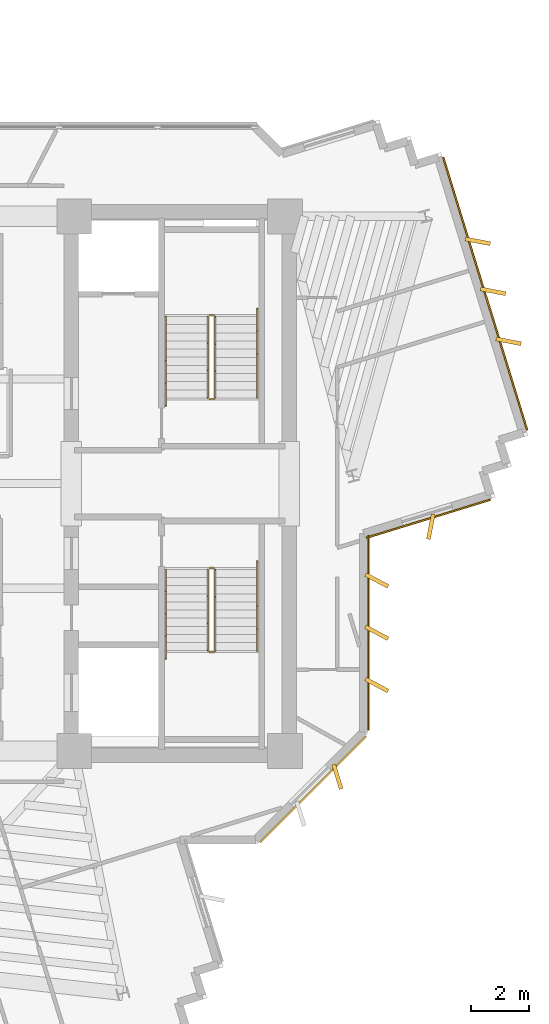
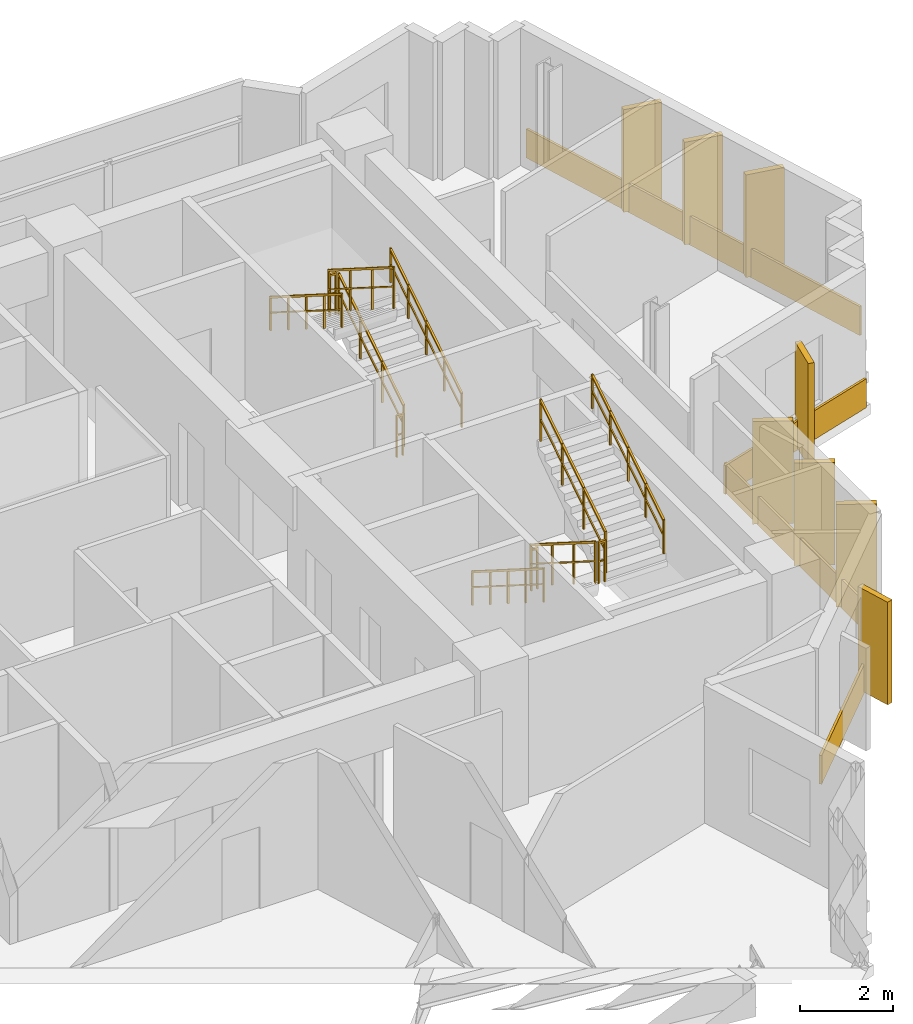
# One storey, part 12 of 13: 12 coverings, 12 railings.
"""IFC4 building model written with IfcOpenShell, lengths in metres."""

from ifc_helpers import new_model, si_unit, direction, frame, origin, origin_2d, place, context, subcontext, project, spatial, rectangle, extrude, source, transform, mapped, material, layer, layer_set, type_object, element, save


model = new_model("IFC4")

# Units and contexts
model_context = context("Model", 3, precision=1e-05, world=origin(), true_north=direction((0.0, 1.0)))
body_context = subcontext(model_context, "Body", "Model", "MODEL_VIEW")
ifc_project = project(units=[si_unit("LENGTHUNIT", "METRE"), si_unit("AREAUNIT", "SQUARE_METRE"), si_unit("VOLUMEUNIT", "CUBIC_METRE"), si_unit("PLANEANGLEUNIT", "RADIAN"), si_unit("MASSUNIT", "GRAM", prefix="KILO")], contexts=[model_context])

# Site, building, storey
site_placement = place(None, origin())
site = spatial("IfcSite", under=ifc_project, at=site_placement, CompositionType="ELEMENT")
building_placement = place(site_placement, origin())
building = spatial("IfcBuilding", under=site, at=building_placement, Name="Zahravan Cultural Tower", CompositionType="ELEMENT")
storey_placement = place(building_placement, frame((0.0, 0.0, 217.5)))
storey = spatial("IfcBuildingStorey", under=building, at=storey_placement, Name="L51", CompositionType="ELEMENT", Elevation=217.5)

# Railings
ifc_material_1 = material(Name="Steel ASTM A572 Grade 50", Category="steel")
railing_type_1 = type_object("IfcRailingType", Name="RL-STAIR-GRD1150", PredefinedType="BALUSTRADE", material=ifc_material_1)
railing_1_placement = place(storey_placement, frame((47.949951171875, 29.949951171875, 0.17724609375)))
element("IfcRailing", 1, at=railing_1_placement, inside=storey, type_object=railing_type_1, Name="L51 ST-E1 stair guard 1", PredefinedType="BALUSTRADE", context=body_context, shape_type="SweptSolid", body=[
    extrude(rectangle(XDim=0.05, YDim=0.05, at=origin_2d()), frame((0.0, 0.0, 1.0751953125), z_axis=(0.0, 0.844908973607, 0.534910110503), x_axis=(-1.0, 0.0, 0.0)), (0.0, 0.0, 1.0), 3.31396484375),
    extrude(rectangle(XDim=0.032, YDim=0.032, at=origin_2d()), frame((0.0, 0.0, 0.572021484375), z_axis=(0.0, 0.844908973607, 0.534910110503), x_axis=(-1.0, 0.0, 0.0)), (0.0, 0.0, 1.0), 3.31396484375),
    extrude(rectangle(XDim=0.04, YDim=0.04, at=origin_2d()), origin(), (0.0, 0.0, 1.0), 1.10009765625),
    extrude(rectangle(XDim=0.04, YDim=0.04, at=origin_2d()), frame((0.0, 0.933349609375, 0.5908203125)), (0.0, 0.0, 1.0), 1.10009765625),
    extrude(rectangle(XDim=0.04, YDim=0.04, at=origin_2d()), frame((0.0, 1.86669921875, 1.181884765625)), (0.0, 0.0, 1.0), 1.10009765625),
    extrude(rectangle(XDim=0.04, YDim=0.04, at=origin_2d()), frame((0.0, 2.800048828125, 1.772705078125)), (0.0, 0.0, 1.0), 1.10009765625),
])
railing_2_placement = place(storey_placement, frame((47.89990234375, 32.800048828125, 1.949951171875)))
element("IfcRailing", 2, at=railing_2_placement, inside=storey, type_object=railing_type_1, Name="L51 ST-E1 stair guard 2", PredefinedType="BALUSTRADE", context=body_context, shape_type="SweptSolid", body=[
    extrude(rectangle(XDim=0.05, YDim=0.05, at=origin_2d()), frame((0.0, 0.0, 1.0751953125), z_axis=(-1.0, 0.0, 0.0), x_axis=(0.0, -1.0, 0.0)), (0.0, 0.0, 1.0), 0.14990234375),
    extrude(rectangle(XDim=0.032, YDim=0.032, at=origin_2d()), frame((0.0, 0.0, 0.572021484375), z_axis=(-1.0, 0.0, 0.0), x_axis=(0.0, -1.0, 0.0)), (0.0, 0.0, 1.0), 0.14990234375),
    extrude(rectangle(XDim=0.04, YDim=0.04, at=origin_2d()), origin(), (0.0, 0.0, 1.0), 1.10009765625),
    extrude(rectangle(XDim=0.04, YDim=0.04, at=origin_2d()), frame((-0.14990234375, 0.0, 0.0)), (0.0, 0.0, 1.0), 1.10009765625),
])
railing_3_placement = place(storey_placement, frame((47.699951171875, 32.75, 2.127197265625)))
element("IfcRailing", 3, at=railing_3_placement, inside=storey, type_object=railing_type_1, Name="L51 ST-E1 stair guard 3", PredefinedType="BALUSTRADE", context=body_context, shape_type="SweptSolid", body=[
    extrude(rectangle(XDim=0.05, YDim=0.05, at=origin_2d()), frame((0.0, 0.0, 1.0751953125), z_axis=(0.0, -0.844908973607, 0.534910110503), x_axis=(1.0, 0.0, 0.0)), (0.0, 0.0, 1.0), 3.31396484375),
    extrude(rectangle(XDim=0.032, YDim=0.032, at=origin_2d()), frame((0.0, 0.0, 0.572021484375), z_axis=(0.0, -0.844908973607, 0.534910110503), x_axis=(1.0, 0.0, 0.0)), (0.0, 0.0, 1.0), 3.31396484375),
    extrude(rectangle(XDim=0.04, YDim=0.04, at=origin_2d()), origin(), (0.0, 0.0, 1.0), 1.10009765625),
    extrude(rectangle(XDim=0.04, YDim=0.04, at=origin_2d()), frame((0.0, -0.933349609375, 0.5908203125)), (0.0, 0.0, 1.0), 1.10009765625),
    extrude(rectangle(XDim=0.04, YDim=0.04, at=origin_2d()), frame((0.0, -1.86669921875, 1.181884765625)), (0.0, 0.0, 1.0), 1.10009765625),
    extrude(rectangle(XDim=0.04, YDim=0.04, at=origin_2d()), frame((0.0, -2.800048828125, 1.772705078125)), (0.0, 0.0, 1.0), 1.10009765625),
])
railing_4_placement = place(storey_placement, frame((47.89990234375, 29.89990234375, 0.0)))
element("IfcRailing", 4, at=railing_4_placement, inside=storey, type_object=railing_type_1, Name="L51 ST-E1 stair guard 4", PredefinedType="BALUSTRADE", context=body_context, shape_type="SweptSolid", body=[
    extrude(rectangle(XDim=0.05, YDim=0.05, at=origin_2d()), frame((0.0, 0.0, 1.0751953125), z_axis=(-1.0, 0.0, 0.0), x_axis=(0.0, -1.0, 0.0)), (0.0, 0.0, 1.0), 0.14990234375),
    extrude(rectangle(XDim=0.032, YDim=0.032, at=origin_2d()), frame((0.0, 0.0, 0.572021484375), z_axis=(-1.0, 0.0, 0.0), x_axis=(0.0, -1.0, 0.0)), (0.0, 0.0, 1.0), 0.14990234375),
    extrude(rectangle(XDim=0.04, YDim=0.04, at=origin_2d()), origin(), (0.0, 0.0, 1.0), 1.10009765625),
    extrude(rectangle(XDim=0.04, YDim=0.04, at=origin_2d()), frame((-0.14990234375, 0.0, 0.0)), (0.0, 0.0, 1.0), 1.10009765625),
])
railing_5_placement = place(storey_placement, frame((47.699951171875, 24.050048828125, 0.17724609375)))
element("IfcRailing", 5, at=railing_5_placement, inside=storey, type_object=railing_type_1, Name="L51 ST-E2 stair guard 1", PredefinedType="BALUSTRADE", context=body_context, shape_type="SweptSolid", body=[
    extrude(rectangle(XDim=0.05, YDim=0.05, at=origin_2d()), frame((0.0, 0.0, 1.0751953125), z_axis=(0.0, -0.844908973607, 0.534910110503), x_axis=(1.0, 0.0, 0.0)), (0.0, 0.0, 1.0), 3.31396484375),
    extrude(rectangle(XDim=0.032, YDim=0.032, at=origin_2d()), frame((0.0, 0.0, 0.572021484375), z_axis=(0.0, -0.844908973607, 0.534910110503), x_axis=(1.0, 0.0, 0.0)), (0.0, 0.0, 1.0), 3.31396484375),
    extrude(rectangle(XDim=0.04, YDim=0.04, at=origin_2d()), origin(), (0.0, 0.0, 1.0), 1.10009765625),
    extrude(rectangle(XDim=0.04, YDim=0.04, at=origin_2d()), frame((0.0, -0.933349609375, 0.5908203125)), (0.0, 0.0, 1.0), 1.10009765625),
    extrude(rectangle(XDim=0.04, YDim=0.04, at=origin_2d()), frame((0.0, -1.86669921875, 1.181884765625)), (0.0, 0.0, 1.0), 1.10009765625),
    extrude(rectangle(XDim=0.04, YDim=0.04, at=origin_2d()), frame((0.0, -2.800048828125, 1.772705078125)), (0.0, 0.0, 1.0), 1.10009765625),
])
railing_6_placement = place(storey_placement, frame((47.75, 21.199951171875, 1.949951171875)))
element("IfcRailing", 6, at=railing_6_placement, inside=storey, type_object=railing_type_1, Name="L51 ST-E2 stair guard 2", PredefinedType="BALUSTRADE", context=body_context, shape_type="SweptSolid", body=[
    extrude(rectangle(XDim=0.05, YDim=0.05, at=origin_2d()), frame((0.0, 0.0, 1.0751953125), z_axis=(1.0, 0.0, 0.0), x_axis=(0.0, 1.0, 0.0)), (0.0, 0.0, 1.0), 0.14990234375),
    extrude(rectangle(XDim=0.032, YDim=0.032, at=origin_2d()), frame((0.0, 0.0, 0.572021484375), z_axis=(1.0, 0.0, 0.0), x_axis=(0.0, 1.0, 0.0)), (0.0, 0.0, 1.0), 0.14990234375),
    extrude(rectangle(XDim=0.04, YDim=0.04, at=origin_2d()), origin(), (0.0, 0.0, 1.0), 1.10009765625),
    extrude(rectangle(XDim=0.04, YDim=0.04, at=origin_2d()), frame((0.14990234375, 0.0, 0.0)), (0.0, 0.0, 1.0), 1.10009765625),
])
railing_7_placement = place(storey_placement, frame((47.949951171875, 21.25, 2.127197265625)))
element("IfcRailing", 7, at=railing_7_placement, inside=storey, type_object=railing_type_1, Name="L51 ST-E2 stair guard 3", PredefinedType="BALUSTRADE", context=body_context, shape_type="SweptSolid", body=[
    extrude(rectangle(XDim=0.05, YDim=0.05, at=origin_2d()), frame((0.0, 0.0, 1.0751953125), z_axis=(0.0, 0.844908973607, 0.534910110503), x_axis=(-1.0, 0.0, 0.0)), (0.0, 0.0, 1.0), 3.31396484375),
    extrude(rectangle(XDim=0.032, YDim=0.032, at=origin_2d()), frame((0.0, 0.0, 0.572021484375), z_axis=(0.0, 0.844908973607, 0.534910110503), x_axis=(-1.0, 0.0, 0.0)), (0.0, 0.0, 1.0), 3.31396484375),
    extrude(rectangle(XDim=0.04, YDim=0.04, at=origin_2d()), origin(), (0.0, 0.0, 1.0), 1.10009765625),
    extrude(rectangle(XDim=0.04, YDim=0.04, at=origin_2d()), frame((0.0, 0.933349609375, 0.5908203125)), (0.0, 0.0, 1.0), 1.10009765625),
    extrude(rectangle(XDim=0.04, YDim=0.04, at=origin_2d()), frame((0.0, 1.86669921875, 1.181884765625)), (0.0, 0.0, 1.0), 1.10009765625),
    extrude(rectangle(XDim=0.04, YDim=0.04, at=origin_2d()), frame((0.0, 2.800048828125, 1.772705078125)), (0.0, 0.0, 1.0), 1.10009765625),
])
railing_8_placement = place(storey_placement, frame((47.75, 24.10009765625, 0.0)))
element("IfcRailing", 8, at=railing_8_placement, inside=storey, type_object=railing_type_1, Name="L51 ST-E2 stair guard 4", PredefinedType="BALUSTRADE", context=body_context, shape_type="SweptSolid", body=[
    extrude(rectangle(XDim=0.05, YDim=0.05, at=origin_2d()), frame((0.0, 0.0, 1.0751953125), z_axis=(1.0, 0.0, 0.0), x_axis=(0.0, 1.0, 0.0)), (0.0, 0.0, 1.0), 0.14990234375),
    extrude(rectangle(XDim=0.032, YDim=0.032, at=origin_2d()), frame((0.0, 0.0, 0.572021484375), z_axis=(1.0, 0.0, 0.0), x_axis=(0.0, 1.0, 0.0)), (0.0, 0.0, 1.0), 0.14990234375),
    extrude(rectangle(XDim=0.04, YDim=0.04, at=origin_2d()), origin(), (0.0, 0.0, 1.0), 1.10009765625),
    extrude(rectangle(XDim=0.04, YDim=0.04, at=origin_2d()), frame((0.14990234375, 0.0, 0.0)), (0.0, 0.0, 1.0), 1.10009765625),
])
railing_type_2 = type_object("IfcRailingType", Name="RL-STAIR-HR900", PredefinedType="HANDRAIL", material=ifc_material_1)
railing_9_placement = place(storey_placement, frame((49.39990234375, 29.949951171875, 0.17724609375)))
element("IfcRailing", 9, at=railing_9_placement, inside=storey, type_object=railing_type_2, Name="L51 ST-E1 stair handrail 1", PredefinedType="HANDRAIL", context=body_context, shape_type="SweptSolid", body=[
    extrude(rectangle(XDim=0.05, YDim=0.05, at=origin_2d()), frame((0.0, 0.0, 0.875), z_axis=(0.0, 0.844913916606, 0.534902302785), x_axis=(-1.0, 0.0, 0.0)), (0.0, 0.0, 1.0), 3.6455078125),
    extrude(rectangle(XDim=0.032, YDim=0.032, at=origin_2d()), frame((0.0, 0.0, 0.468017578125), z_axis=(0.0, 0.844913916606, 0.534902302785), x_axis=(-1.0, 0.0, 0.0)), (0.0, 0.0, 1.0), 3.6455078125),
    extrude(rectangle(XDim=0.04, YDim=0.04, at=origin_2d()), origin(), (0.0, 0.0, 1.0), 0.89990234375),
    extrude(rectangle(XDim=0.04, YDim=0.04, at=origin_2d()), frame((0.0, 0.77001953125, 0.487548828125)), (0.0, 0.0, 1.0), 0.89990234375),
    extrude(rectangle(XDim=0.04, YDim=0.04, at=origin_2d()), frame((0.0, 1.5400390625, 0.97509765625)), (0.0, 0.0, 1.0), 0.89990234375),
    extrude(rectangle(XDim=0.04, YDim=0.04, at=origin_2d()), frame((0.0, 2.31005859375, 1.46240234375)), (0.0, 0.0, 1.0), 0.89990234375),
    extrude(rectangle(XDim=0.04, YDim=0.04, at=origin_2d()), frame((0.0, 3.080078125, 1.949951171875)), (0.0, 0.0, 1.0), 0.89990234375),
])
railing_10_placement = place(storey_placement, frame((46.25, 32.75, 2.127197265625)))
element("IfcRailing", 10, at=railing_10_placement, inside=storey, type_object=railing_type_2, Name="L51 ST-E1 stair handrail 2", PredefinedType="HANDRAIL", context=body_context, shape_type="SweptSolid", body=[
    extrude(rectangle(XDim=0.05, YDim=0.05, at=origin_2d()), frame((0.0, 0.0, 0.875), z_axis=(0.0, -0.844883648757, 0.534950109882), x_axis=(1.0, 0.0, 0.0)), (0.0, 0.0, 1.0), 3.6455078125),
    extrude(rectangle(XDim=0.032, YDim=0.032, at=origin_2d()), frame((0.0, 0.0, 0.468017578125), z_axis=(0.0, -0.844883648757, 0.534950109882), x_axis=(1.0, 0.0, 0.0)), (0.0, 0.0, 1.0), 3.6455078125),
    extrude(rectangle(XDim=0.04, YDim=0.04, at=origin_2d()), origin(), (0.0, 0.0, 1.0), 0.89990234375),
    extrude(rectangle(XDim=0.04, YDim=0.04, at=origin_2d()), frame((0.0, -0.77001953125, 0.487548828125)), (0.0, 0.0, 1.0), 0.89990234375),
    extrude(rectangle(XDim=0.04, YDim=0.04, at=origin_2d()), frame((0.0, -1.5400390625, 0.97509765625)), (0.0, 0.0, 1.0), 0.89990234375),
    extrude(rectangle(XDim=0.04, YDim=0.04, at=origin_2d()), frame((0.0, -2.31005859375, 1.462646484375)), (0.0, 0.0, 1.0), 0.89990234375),
    extrude(rectangle(XDim=0.04, YDim=0.04, at=origin_2d()), frame((0.0, -3.080078125, 1.9501953125)), (0.0, 0.0, 1.0), 0.89990234375),
])
railing_11_placement = place(storey_placement, frame((46.25, 24.050048828125, 0.17724609375)))
element("IfcRailing", 11, at=railing_11_placement, inside=storey, type_object=railing_type_2, Name="L51 ST-E2 stair handrail 1", PredefinedType="HANDRAIL", context=body_context, shape_type="SweptSolid", body=[
    extrude(rectangle(XDim=0.05, YDim=0.05, at=origin_2d()), frame((0.0, 0.0, 0.875), z_axis=(0.0, -0.844913916606, 0.534902302785), x_axis=(1.0, 0.0, 0.0)), (0.0, 0.0, 1.0), 3.6455078125),
    extrude(rectangle(XDim=0.032, YDim=0.032, at=origin_2d()), frame((0.0, 0.0, 0.468017578125), z_axis=(0.0, -0.844913916606, 0.534902302785), x_axis=(1.0, 0.0, 0.0)), (0.0, 0.0, 1.0), 3.6455078125),
    extrude(rectangle(XDim=0.04, YDim=0.04, at=origin_2d()), origin(), (0.0, 0.0, 1.0), 0.89990234375),
    extrude(rectangle(XDim=0.04, YDim=0.04, at=origin_2d()), frame((0.0, -0.77001953125, 0.487548828125)), (0.0, 0.0, 1.0), 0.89990234375),
    extrude(rectangle(XDim=0.04, YDim=0.04, at=origin_2d()), frame((0.0, -1.5400390625, 0.97509765625)), (0.0, 0.0, 1.0), 0.89990234375),
    extrude(rectangle(XDim=0.04, YDim=0.04, at=origin_2d()), frame((0.0, -2.31005859375, 1.46240234375)), (0.0, 0.0, 1.0), 0.89990234375),
    extrude(rectangle(XDim=0.04, YDim=0.04, at=origin_2d()), frame((0.0, -3.080078125, 1.949951171875)), (0.0, 0.0, 1.0), 0.89990234375),
])
railing_12_placement = place(storey_placement, frame((49.39990234375, 21.25, 2.127197265625)))
element("IfcRailing", 12, at=railing_12_placement, inside=storey, type_object=railing_type_2, Name="L51 ST-E2 stair handrail 2", PredefinedType="HANDRAIL", context=body_context, shape_type="SweptSolid", body=[
    extrude(rectangle(XDim=0.05, YDim=0.05, at=origin_2d()), frame((0.0, 0.0, 0.875), z_axis=(0.0, 0.844883648757, 0.534950109882), x_axis=(-1.0, 0.0, 0.0)), (0.0, 0.0, 1.0), 3.6455078125),
    extrude(rectangle(XDim=0.032, YDim=0.032, at=origin_2d()), frame((0.0, 0.0, 0.468017578125), z_axis=(0.0, 0.844883648757, 0.534950109882), x_axis=(-1.0, 0.0, 0.0)), (0.0, 0.0, 1.0), 3.6455078125),
    extrude(rectangle(XDim=0.04, YDim=0.04, at=origin_2d()), origin(), (0.0, 0.0, 1.0), 0.89990234375),
    extrude(rectangle(XDim=0.04, YDim=0.04, at=origin_2d()), frame((0.0, 0.77001953125, 0.487548828125)), (0.0, 0.0, 1.0), 0.89990234375),
    extrude(rectangle(XDim=0.04, YDim=0.04, at=origin_2d()), frame((0.0, 1.5400390625, 0.97509765625)), (0.0, 0.0, 1.0), 0.89990234375),
    extrude(rectangle(XDim=0.04, YDim=0.04, at=origin_2d()), frame((0.0, 2.31005859375, 1.462646484375)), (0.0, 0.0, 1.0), 0.89990234375),
    extrude(rectangle(XDim=0.04, YDim=0.04, at=origin_2d()), frame((0.0, 3.080078125, 1.9501953125)), (0.0, 0.0, 1.0), 0.89990234375),
])

# Coverings
ifc_material_2 = material(Name="Terracotta ceramic cladding", Category="masonry")
ifc_layer = layer(ifc_material_2, 0.06005859375)
ifc_layer_set = layer_set([ifc_layer], Name="Terracotta ceramic cladding")
covering_type = type_object("IfcCoveringType", Name="COV-CLAD-TC60", PredefinedType="CLADDING", material=ifc_layer_set)
shared_shape_1 = source(origin(), body_context, "Body", "SweptSolid", [
    extrude(rectangle(XDim=5.157958984375, YDim=0.06005859375, at=origin_2d()), origin(), (0.0, 0.0, 1.0), 0.760009765625),
])
covering_1_placement = place(storey_placement, frame((51.317626953125, 16.482421875, 0.02001953125), z_axis=(0.0, 0.0, 1.0), x_axis=(-0.707106781187, -0.707106781187, 0.0)))
element("IfcCovering", 13, at=covering_1_placement, inside=storey, type_object=covering_type, Name="L51 Terracotta Spandrel Cladding 13", PredefinedType="CLADDING", context=body_context, shape_type="MappedRepresentation", body=[
    mapped(shared_shape_1, transform((0.0, 0.0, 0.0), x_axis=(1.0, 0.0, 0.0), y_axis=(0.0, 1.0, 0.0), z_axis=(0.0, 0.0, 1.0), scale=1.0)),
])
shared_shape_2 = source(origin(), body_context, "Body", "SweptSolid", [
    extrude(rectangle(XDim=0.8798828125, YDim=0.139892578125, at=origin_2d()), origin(), (0.0, 0.0, 1.0), 2.699951171875),
])
for number, where, z_axis, x_axis, name in (
    (14, (56.985595703125, 35.339111328125, 0.0498046875), (0.0, 0.0, 1.0), (0.981958712696, -0.18909544299, 0.0), "L51 Herringbone Terracotta Fin 01"),
    (15, (57.514892578125, 33.618896484375, 0.0498046875), (0.0, 0.0, 1.0), (0.981958712696, -0.18909544299, 0.0), "L51 Herringbone Terracotta Fin 02"),
    (16, (58.044189453125, 31.8984375, 0.0498046875), (0.0, 0.0, 1.0), (0.981958712696, -0.18909544299, 0.0), "L51 Herringbone Terracotta Fin 03"),
    (17, (55.371337890625, 25.5205078125, 0.0498046875), (0.0, 0.0, 1.0), (-0.189112581374, -0.981955412209, 0.0), "L51 Herringbone Terracotta Fin 04"),
    (18, (53.510009765625, 23.669189453125, 0.0498046875), (0.0, 0.0, 1.0), (0.882947592859, -0.469471562786, 0.0), "L51 Herringbone Terracotta Fin 05"),
    (19, (53.510009765625, 21.869140625, 0.0498046875), (0.0, 0.0, 1.0), (0.882947592859, -0.469471562786, 0.0), "L51 Herringbone Terracotta Fin 06"),
    (20, (53.510009765625, 20.069091796875, 0.0498046875), (0.0, 0.0, 1.0), (0.882947592859, -0.469471562786, 0.0), "L51 Herringbone Terracotta Fin 07"),
    (21, (52.155517578125, 16.917236328125, 0.0498046875), (0.0, 0.0, 1.0), (0.292371704723, -0.956304755963, 0.0), "L51 Herringbone Terracotta Fin 08"),
):
    element("IfcCovering", number, at=place(storey_placement, frame(where, z_axis=z_axis, x_axis=x_axis)), inside=storey, type_object=covering_type, Name=name, PredefinedType="CLADDING", context=body_context, shape_type="MappedRepresentation", body=[
        mapped(shared_shape_2, transform((0.0, 0.0, 0.0), x_axis=(1.0, 0.0, 0.0), y_axis=(0.0, 1.0, 0.0), z_axis=(0.0, 0.0, 1.0), scale=1.0)),
    ])
shared_shape_3 = source(origin(), body_context, "Body", "SweptSolid", [
    extrude(rectangle(XDim=9.81982421875, YDim=0.06005859375, at=origin_2d()), origin(), (0.0, 0.0, 1.0), 0.760009765625),
])
covering_2_placement = place(storey_placement, frame((57.242431640625, 33.534912109375, 0.02001953125), z_axis=(0.0, 0.0, 1.0), x_axis=(0.294040325232, -0.955793014798, 0.0)))
element("IfcCovering", 22, at=covering_2_placement, inside=storey, type_object=covering_type, Name="L51 Terracotta Spandrel Cladding 06", PredefinedType="CLADDING", context=body_context, shape_type="MappedRepresentation", body=[
    mapped(shared_shape_3, transform((0.0, 0.0, 0.0), x_axis=(1.0, 0.0, 0.0), y_axis=(0.0, 1.0, 0.0), z_axis=(0.0, 0.0, 1.0), scale=1.0)),
])
shared_shape_4 = source(origin(), body_context, "Body", "SweptSolid", [
    extrude(rectangle(XDim=4.459716796875, YDim=0.06005859375, at=origin_2d()), origin(), (0.0, 0.0, 1.0), 0.760009765625),
])
covering_3_placement = place(storey_placement, frame((55.28759765625, 25.79296875, 0.02001953125), z_axis=(0.0, 0.0, 1.0), x_axis=(-0.955798146625, -0.294023643452, 0.0)))
element("IfcCovering", 23, at=covering_3_placement, inside=storey, type_object=covering_type, Name="L51 Terracotta Spandrel Cladding 11", PredefinedType="CLADDING", context=body_context, shape_type="MappedRepresentation", body=[
    mapped(shared_shape_4, transform((0.0, 0.0, 0.0), x_axis=(1.0, 0.0, 0.0), y_axis=(0.0, 1.0, 0.0), z_axis=(0.0, 0.0, 1.0), scale=1.0)),
])
shared_shape_5 = source(origin(), body_context, "Body", "SweptSolid", [
    extrude(rectangle(XDim=6.722412109375, YDim=0.06005859375, at=origin_2d()), origin(), (0.0, 0.0, 1.0), 0.760009765625),
])
covering_4_placement = place(storey_placement, frame((53.22509765625, 21.869140625, 0.02001953125), z_axis=(0.0, 0.0, 1.0), x_axis=(0.0, -1.0, 0.0)))
element("IfcCovering", 24, at=covering_4_placement, inside=storey, type_object=covering_type, Name="L51 Terracotta Spandrel Cladding 12", PredefinedType="CLADDING", context=body_context, shape_type="MappedRepresentation", body=[
    mapped(shared_shape_5, transform((0.0, 0.0, 0.0), x_axis=(1.0, 0.0, 0.0), y_axis=(0.0, 1.0, 0.0), z_axis=(0.0, 0.0, 1.0), scale=1.0)),
])

save(model, "model.ifc")
